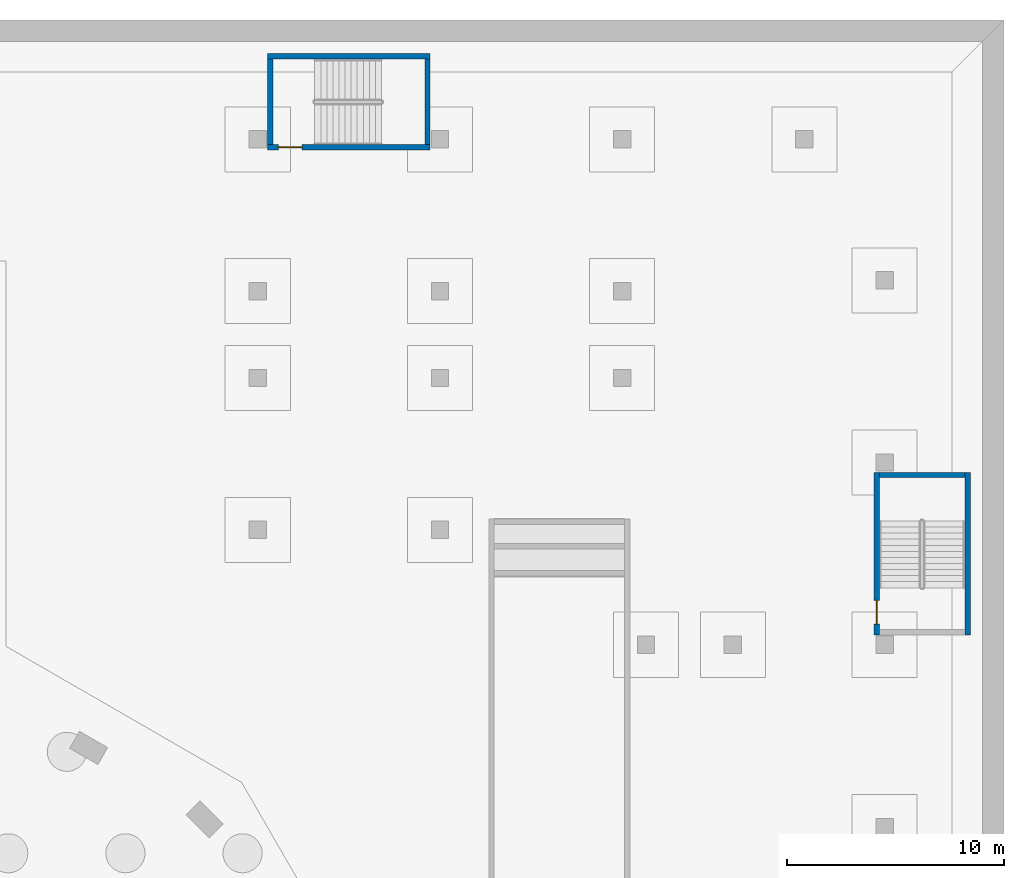
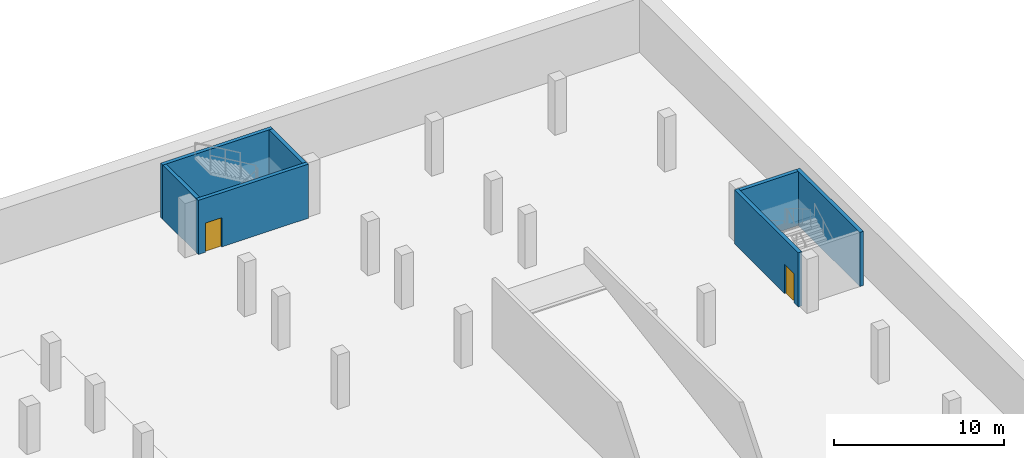
# One storey, part 13 of 27: 7 walls, 2 doors, 2 openings.
"""IFC4 building model written with IfcOpenShell, lengths in metres."""

import ifcopenshell
import ifcopenshell.guid

model = None  # the IFC model being written
_history = None  # IfcOwnerHistory: only IFC2X3 demands one
_inside = {}  # id of a spatial element -> (the spatial element, [elements in it])
_under = {}  # id of a project, library or spatial element -> (it, [spatial elements below it])
_declared = {}  # id of a project -> (the project, [libraries it declares])
_typed = {}  # id of a type object -> (the type object, [elements of that type])
_made_of = {}  # id of a material, layer set ... -> (it, [elements and type objects made of it])


def new_model(schema):
    """Start an empty IFC model of exactly this schema.

    Asked for "IFC4X3", IfcOpenShell would pick the latest addendum, in which some entities
    have other attributes; the version numbers below select the first issue.
    IFC2X3 requires an IfcOwnerHistory on every rooted entity: one is made here for all.
    """
    global model, _history
    if schema == "IFC4X3":
        model = ifcopenshell.file(schema_version=(4, 3, 0, 0))
    else:
        model = ifcopenshell.file(schema=schema)
    _inside.clear()
    _under.clear()
    _declared.clear()
    _typed.clear()
    _made_of.clear()
    _history = None
    if model.schema == "IFC2X3":
        org = make("IfcOrganization", Name="unknown")
        user = make(
            "IfcPersonAndOrganization",
            ThePerson=make("IfcPerson", FamilyName="unknown"),
            TheOrganization=org,
        )
        app = make(
            "IfcApplication",
            ApplicationDeveloper=org,
            Version="unknown",
            ApplicationFullName="unknown",
            ApplicationIdentifier="unknown",
        )
        _history = make(
            "IfcOwnerHistory",
            OwningUser=user,
            OwningApplication=app,
            ChangeAction="ADDED",
            CreationDate=0,
        )
    return model


def make(cls, **values):
    """One entity of the class cls with the attributes given. An attribute that is None is left unset."""
    return model.create_entity(
        cls, **{name: value for name, value in values.items() if value is not None}
    )


def rooted(cls, **values):
    """An entity with a GlobalId (a new one), such as an element, a storey or a relation."""
    return make(cls, GlobalId=ifcopenshell.guid.new(), OwnerHistory=_history, **values)


def si_unit(unit_type, name, prefix=None):
    """IfcSIUnit, for example si_unit("LENGTHUNIT", "METRE", prefix="MILLI")."""
    return make("IfcSIUnit", UnitType=unit_type, Prefix=prefix, Name=name)


def assignment(units):
    """IfcUnitAssignment: the units of a project."""
    return None if units is None else make("IfcUnitAssignment", Units=units)


def point(xyz):
    """IfcCartesianPoint."""
    return None if xyz is None else make("IfcCartesianPoint", Coordinates=xyz)


def direction(xyz):
    """IfcDirection."""
    return None if xyz is None else make("IfcDirection", DirectionRatios=xyz)


def frame(location, z_axis=None, x_axis=None):
    """IfcAxis2Placement3D, a coordinate frame: its origin and axes. An axis left out is left unset."""
    return make(
        "IfcAxis2Placement3D",
        Location=point(location),
        Axis=direction(z_axis),
        RefDirection=direction(x_axis),
    )


def frame_2d(location, x_axis=None):
    """IfcAxis2Placement2D, a coordinate frame in the plane: its origin and x axis."""
    return make(
        "IfcAxis2Placement2D", Location=point(location), RefDirection=direction(x_axis)
    )


def origin():
    """The frame at (0, 0, 0) with its axes left unset."""
    return frame((0.0, 0.0, 0.0))


def place(relative_to, where):
    """IfcLocalPlacement: puts the frame where relative to a parent placement (None: the world)."""
    return make(
        "IfcLocalPlacement", PlacementRelTo=relative_to, RelativePlacement=where
    )


def context(
    kind, dimensions, precision=None, world=None, true_north=None, identifier=None
):
    """IfcGeometricRepresentationContext, for example the 3D "Model" context."""
    return make(
        "IfcGeometricRepresentationContext",
        ContextIdentifier=identifier,
        ContextType=kind,
        CoordinateSpaceDimension=dimensions,
        Precision=precision,
        WorldCoordinateSystem=world,
        TrueNorth=true_north,
    )


def subcontext(parent, identifier, kind, view, scale=None):
    """IfcGeometricRepresentationSubContext, for example "Body" below "Model"."""
    return make(
        "IfcGeometricRepresentationSubContext",
        ContextIdentifier=identifier,
        ContextType=kind,
        ParentContext=parent,
        TargetScale=scale,
        TargetView=view,
    )


def project(units=None, contexts=None):
    """IfcProject with its units and contexts."""
    return rooted(
        "IfcProject",
        Name="project",
        RepresentationContexts=contexts,
        UnitsInContext=assignment(units),
    )


def spatial(cls, under=None, at=None, **own):
    """A site, building, storey or space (cls), placed at a placement, below another one or the project."""
    s = rooted(cls, ObjectPlacement=at, **own)
    if under is not None:
        _under.setdefault(under.id(), (under, []))[1].append(s)
    return s


def profile(cls, at=None, kind="AREA", **sizes):
    """A parametric profile (cls). Its sizes go by their IFC names, for example OverallWidth=200.0."""
    return make(cls, ProfileType=kind, Position=at, **sizes)


def rectangle(**sizes):
    """IfcRectangleProfileDef."""
    return profile("IfcRectangleProfileDef", **sizes)


def extrude(swept, where, along, depth):
    """IfcExtrudedAreaSolid: the profile swept, set in the frame where, extruded along a direction by depth."""
    return make(
        "IfcExtrudedAreaSolid",
        SweptArea=swept,
        Position=where,
        ExtrudedDirection=direction(along),
        Depth=depth,
    )


def shape(context_of_items, identifier, shape_type, items):
    """IfcShapeRepresentation: the items that make up one representation, for example the "Body"."""
    return make(
        "IfcShapeRepresentation",
        ContextOfItems=context_of_items,
        RepresentationIdentifier=identifier,
        RepresentationType=shape_type,
        Items=items,
    )


def material(Name=None, Category=None):
    """IfcMaterial."""
    return make("IfcMaterial", Name=Name, Category=Category)


def layer(
    of_material, thickness, ventilated=None, Name=None, Category=None, Priority=None
):
    """IfcMaterialLayer: one layer of a wall or slab, of a material (None: an air gap)."""
    return make(
        "IfcMaterialLayer",
        Material=of_material,
        LayerThickness=thickness,
        IsVentilated=ventilated,
        Name=Name,
        Category=Category,
        Priority=Priority,
    )


def layer_set(layers, Name=None):
    """IfcMaterialLayerSet."""
    return make("IfcMaterialLayerSet", MaterialLayers=layers, LayerSetName=Name)


def made_of(thing, what):
    """Note that an element or type object is made of a material, layer set ...; save() writes the relation."""
    if what is not None:
        _made_of.setdefault(what.id(), (what, []))[1].append(thing)
    return thing


def type_object(cls, material=None, **own):
    """A type object (cls), such as IfcWallType, which elements share."""
    return made_of(rooted(cls, **own), material)


def element(
    cls,
    number,
    at=None,
    inside=None,
    cuts=None,
    type_object=None,
    material=None,
    context=None,
    identifier="Body",
    shape_type=None,
    held_by="IfcProductDefinitionShape",
    body=None,
    shapes=None,
    **own,
):
    """One element of the class cls, such as IfcWall. Its Tag is "e" and its number.

    at: its placement. inside: the storey or other place that contains it. cuts: it is an
    opening in that element (IfcRelVoidsElement). A single representation is given by context,
    identifier, shape_type and body (its items); several are given by shapes. held_by: the class
    of the entity that holds the representations. save() writes the other relations.
    """
    e = rooted(cls, Tag="e%d" % number, ObjectPlacement=at, **own)
    if body is not None:
        shapes = [shape(context, identifier, shape_type, body)]
    if shapes is not None:
        e.Representation = make(held_by, Representations=shapes)
    if inside is not None:
        _inside.setdefault(inside.id(), (inside, []))[1].append(e)
    if cuts is not None:
        rooted(
            "IfcRelVoidsElement", RelatingBuildingElement=cuts, RelatedOpeningElement=e
        )
    if type_object is not None:
        _typed.setdefault(type_object.id(), (type_object, []))[1].append(e)
    return made_of(e, material)


def fill(opening, filler):
    """IfcRelFillsElement: the door or window that sits in an opening."""
    return rooted(
        "IfcRelFillsElement",
        RelatingOpeningElement=opening,
        RelatedBuildingElement=filler,
    )


def aggregate(whole, parts):
    """IfcRelAggregates: a whole, such as a stair, and the parts it consists of."""
    return rooted("IfcRelAggregates", RelatingObject=whole, RelatedObjects=parts)


def save(model, path):
    """Write the relations noted so far, then the file.

    IfcRelAggregates (storeys below a building ...), IfcRelContainedInSpatialStructure (elements
    in a storey), IfcRelDefinesByType, IfcRelAssociatesMaterial and IfcRelDeclares: one each for
    every whole, place, type object, material and project.
    """
    for whole, parts in _under.values():
        aggregate(whole, parts)
    for where, things in _inside.values():
        rooted(
            "IfcRelContainedInSpatialStructure",
            RelatedElements=things,
            RelatingStructure=where,
        )
    for kind, things in _typed.values():
        rooted("IfcRelDefinesByType", RelatedObjects=things, RelatingType=kind)
    for what, things in _made_of.values():
        rooted("IfcRelAssociatesMaterial", RelatedObjects=things, RelatingMaterial=what)
    for by, libraries in _declared.values():
        rooted("IfcRelDeclares", RelatingContext=by, RelatedDefinitions=libraries)
    model.write(path)


model = new_model("IFC4")

# Units and contexts
model_context = context("Model", 3, precision=1e-05, world=origin(), true_north=direction((0.0, 1.0)))
body_context = subcontext(model_context, "Body", "Model", "MODEL_VIEW")
ifc_project = project(units=[si_unit("LENGTHUNIT", "METRE"), si_unit("AREAUNIT", "SQUARE_METRE"), si_unit("VOLUMEUNIT", "CUBIC_METRE"), si_unit("PLANEANGLEUNIT", "RADIAN"), si_unit("MASSUNIT", "GRAM", prefix="KILO")], contexts=[model_context])

# Site, building, storey
site_placement = place(None, origin())
site = spatial("IfcSite", under=ifc_project, at=site_placement, CompositionType="ELEMENT")
building_placement = place(site_placement, origin())
building = spatial("IfcBuilding", under=site, at=building_placement, Name="Verdalira Terraces Hotel", CompositionType="ELEMENT")
storey_placement = place(building_placement, frame((0.0, 0.0, -11.699951)))
storey = spatial("IfcBuildingStorey", under=building, at=storey_placement, Name="B3", CompositionType="ELEMENT", Elevation=-11.699951171875)

# Wall
ifc_material_1 = material(Name="Concrete C40", Category="concrete")
ifc_layer = layer(ifc_material_1, 0.25)
ifc_layer_set = layer_set([ifc_layer], Name="Stair enclosure wall 250 C40")
wall_type = type_object("IfcWallType", Name="Stair enclosure wall 250 C40", PredefinedType="SOLIDWALL", material=ifc_layer_set)
wall_1_placement = place(storey_placement, frame((20.050049, 52.324951, 0.0), z_axis=(0.0, 0.0, 1.0), x_axis=(1.0, 0.0, 0.0)))
element("IfcWall", 1, at=wall_1_placement, inside=storey, type_object=wall_type, Name="Stair BS3 enclosure wall", PredefinedType="SOLIDWALL", context=body_context, shape_type="SweptSolid", body=[
    extrude(rectangle(XDim=7.5, YDim=0.25, at=frame_2d((3.75, 0.0))), origin(), (0.0, 0.0, 1.0), 3.899902),
])

# Wall, opening, door
wall_2_placement = place(storey_placement, frame((20.050049, 48.125, 0.0), z_axis=(0.0, 0.0, 1.0), x_axis=(1.0, 0.0, 0.0)))
wall_2 = element("IfcWall", 2, at=wall_2_placement, inside=storey, type_object=wall_type, Name="Stair BS3 enclosure wall", PredefinedType="SOLIDWALL", context=body_context, shape_type="SweptSolid", body=[
    extrude(rectangle(XDim=7.5, YDim=0.25, at=frame_2d((3.75, 0.0))), origin(), (0.0, 0.0, 1.0), 3.899902),
])
opening_1_placement = place(wall_2_placement, frame((0.5, 0.0, 0.0)))
opening_1 = element("IfcOpeningElement", 3, at=opening_1_placement, cuts=wall_2, Name="Opening B3-D603", PredefinedType="OPENING", context=body_context, shape_type="SweptSolid", body=[
    extrude(rectangle(XDim=1.100098, YDim=2.100098, at=frame_2d((0.550049, 1.050049))), frame((0.0, 0.13501, 0.0), z_axis=(0.0, -1.0, 0.0), x_axis=(1.0, 0.0, 0.0)), (0.0, 0.0, 1.0), 0.27002),
])
ifc_material_2 = material(Name="Steel fire door", Category="steel")
door_type = type_object("IfcDoorType", Name="Stair door 1100 x 2100", OperationType="SINGLE_SWING_LEFT", PredefinedType="DOOR", material=ifc_material_2)
door_1_placement = place(opening_1_placement, origin())
door_1 = element("IfcDoor", 4, at=door_1_placement, inside=storey, type_object=door_type, Name="Stair BS3 door", OperationType="SINGLE_SWING_LEFT", OverallHeight=2.10009765625, OverallWidth=1.10009765625, PredefinedType="DOOR", context=body_context, shape_type="SweptSolid", body=[
    extrude(rectangle(XDim=1.100098, YDim=2.100098, at=frame_2d((0.550049, 1.050049))), frame((0.0, 0.024902, 0.0), z_axis=(0.0, -1.0, 0.0), x_axis=(1.0, 0.0, 0.0)), (0.0, 0.0, 1.0), 0.050049),
])
fill(opening_1, door_1)

# Walls
for number, where, z_axis, x_axis, name in (
    (5, (20.175049, 48.25, 0.0), (0.0, 0.0, 1.0), (0.0, 1.0, 0.0), "Stair BS3 enclosure wall"),
    (6, (27.425049, 48.25, 0.0), (0.0, 0.0, 1.0), (0.0, 1.0, 0.0), "Stair BS3 enclosure wall"),
):
    element("IfcWall", number, at=place(storey_placement, frame(where, z_axis=z_axis, x_axis=x_axis)), inside=storey, type_object=wall_type, Name=name, PredefinedType="SOLIDWALL", context=body_context, shape_type="SweptSolid", body=[
        extrude(rectangle(XDim=3.949951, YDim=0.25, at=frame_2d((1.975098, 0.0))), origin(), (0.0, 0.0, 1.0), 3.899902),
    ])

# Wall, opening, door
wall_3_placement = place(storey_placement, frame((48.125, 25.649902, 0.0), z_axis=(0.0, 0.0, 1.0), x_axis=(0.0, 1.0, 0.0)))
wall_3 = element("IfcWall", 7, at=wall_3_placement, inside=storey, type_object=wall_type, Name="Stair BS5 enclosure wall", PredefinedType="SOLIDWALL", context=body_context, shape_type="SweptSolid", body=[
    extrude(rectangle(XDim=7.5, YDim=0.25, at=frame_2d((3.75, 0.0))), origin(), (0.0, 0.0, 1.0), 3.899902),
])
opening_2_placement = place(wall_3_placement, frame((0.5, 0.0, 0.0)))
opening_2 = element("IfcOpeningElement", 8, at=opening_2_placement, cuts=wall_3, Name="Opening B3-D605", PredefinedType="OPENING", context=body_context, shape_type="SweptSolid", body=[
    extrude(rectangle(XDim=1.100098, YDim=2.100098, at=frame_2d((0.550049, 1.050049))), frame((0.0, 0.13501, 0.0), z_axis=(0.0, -1.0, 0.0), x_axis=(1.0, 0.0, 0.0)), (0.0, 0.0, 1.0), 0.27002),
])
door_2_placement = place(opening_2_placement, origin())
door_2 = element("IfcDoor", 9, at=door_2_placement, inside=storey, type_object=door_type, Name="Stair BS5 door", OperationType="SINGLE_SWING_RIGHT", OverallHeight=2.10009765625, OverallWidth=1.10009765625, PredefinedType="DOOR", context=body_context, shape_type="SweptSolid", body=[
    extrude(rectangle(XDim=1.100098, YDim=2.100098, at=frame_2d((0.550049, 1.050049))), frame((0.0, 0.024902, 0.0), z_axis=(0.0, -1.0, 0.0), x_axis=(1.0, 0.0, 0.0)), (0.0, 0.0, 1.0), 0.050049),
])
fill(opening_2, door_2)

# Walls
wall_4_placement = place(storey_placement, frame((52.324951, 25.649902, 0.0), z_axis=(0.0, 0.0, 1.0), x_axis=(0.0, 1.0, 0.0)))
element("IfcWall", 10, at=wall_4_placement, inside=storey, type_object=wall_type, Name="Stair BS5 enclosure wall", PredefinedType="SOLIDWALL", context=body_context, shape_type="SweptSolid", body=[
    extrude(rectangle(XDim=7.5, YDim=0.25, at=frame_2d((3.75, 0.0))), origin(), (0.0, 0.0, 1.0), 3.899902),
])
wall_5_placement = place(storey_placement, frame((52.199951, 33.024902, 0.0), z_axis=(0.0, 0.0, 1.0), x_axis=(-1.0, 0.0, 0.0)))
element("IfcWall", 11, at=wall_5_placement, inside=storey, type_object=wall_type, Name="Stair BS5 enclosure wall", PredefinedType="SOLIDWALL", context=body_context, shape_type="SweptSolid", body=[
    extrude(rectangle(XDim=3.949951, YDim=0.25, at=frame_2d((1.975098, 0.0))), origin(), (0.0, 0.0, 1.0), 3.899902),
])

save(model, "model.ifc")
